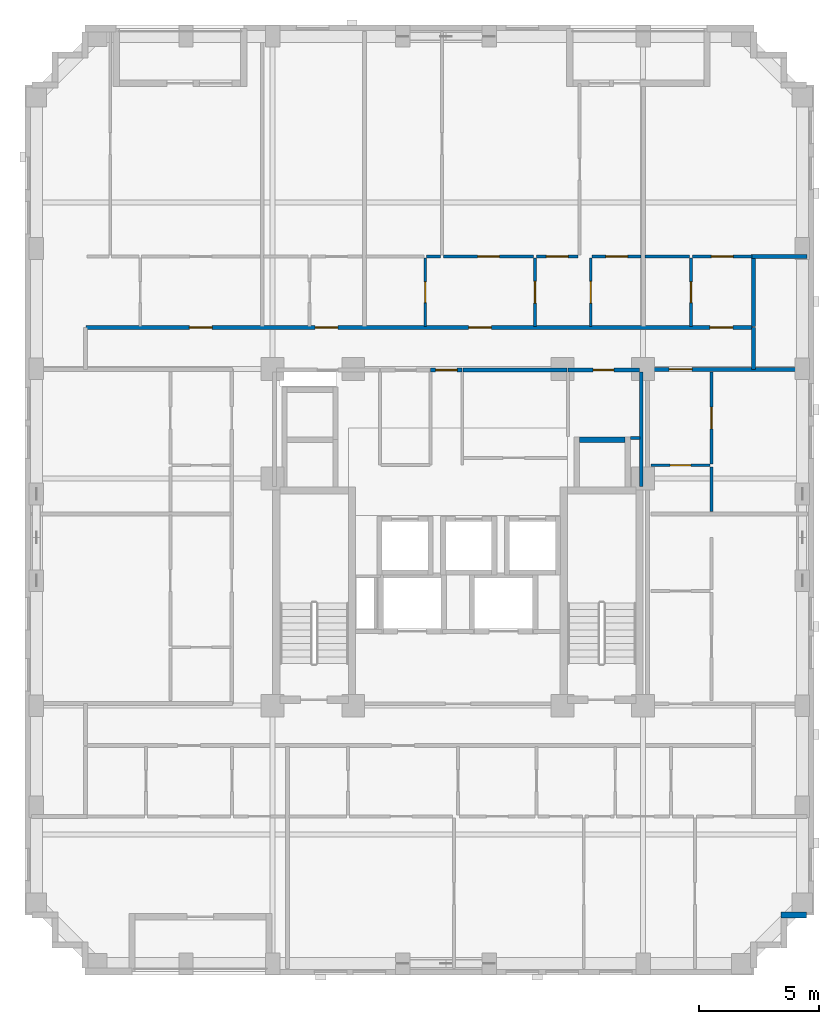
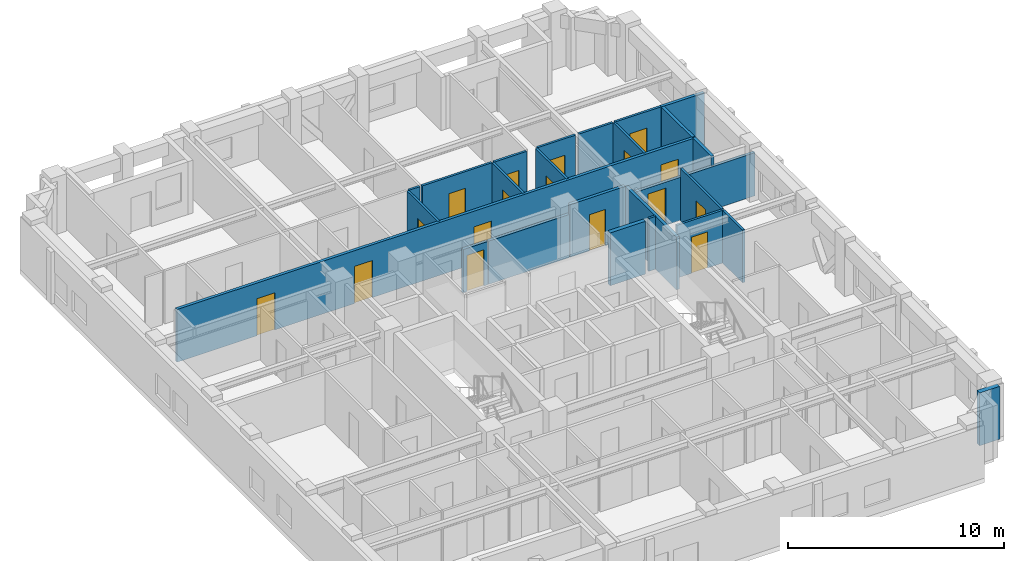
# One storey, part 6 of 11: 25 walls, 17 doors, 17 openings.
"""IFC4 building model written with IfcOpenShell, lengths in metres."""

from ifc_helpers import new_model, si_unit, derived_unit, direction, frame, frame_2d, origin, place, context, subcontext, project, spatial, rectangle, extrude, material, layer, layer_set, type_object, element, fill, save


model = new_model("IFC4")

# Units and contexts
model_context = context("Model", 3, precision=1e-05, world=origin(), true_north=direction((0.0, 1.0)))
body_context = subcontext(model_context, "Body", "Model", "MODEL_VIEW")
ifc_project = project(units=[si_unit("LENGTHUNIT", "METRE"), si_unit("AREAUNIT", "SQUARE_METRE"), si_unit("VOLUMEUNIT", "CUBIC_METRE"), si_unit("PLANEANGLEUNIT", "RADIAN"), si_unit("MASSUNIT", "GRAM", prefix="KILO"), derived_unit("THERMALTRANSMITTANCEUNIT", [(si_unit("MASSUNIT", "GRAM", prefix="KILO"), 1), (si_unit("TIMEUNIT", "SECOND"), -3), (si_unit("THERMODYNAMICTEMPERATUREUNIT", "KELVIN"), -1)])], contexts=[model_context])

# Site, building, storey
site_placement = place(None, origin())
site = spatial("IfcSite", under=ifc_project, at=site_placement, CompositionType="ELEMENT")
building_placement = place(site_placement, origin())
building = spatial("IfcBuilding", under=site, at=building_placement, Name="Korrvale Station Residences", CompositionType="ELEMENT")
storey_placement = place(building_placement, frame((0.0, 0.0, 163.39990234375)))
storey = spatial("IfcBuildingStorey", under=building, at=storey_placement, Name="L47", CompositionType="ELEMENT", Elevation=163.39990234375)

# Walls
ifc_material_1 = material(Name="Precast concrete C45/55", Category="concrete")
ifc_layer_1 = layer(ifc_material_1, 0.260009765625, Name="Precast concrete C45/55")
ifc_layer_set_1 = layer_set([ifc_layer_1], Name="Precast concrete C45/55")
wall_type_1 = type_object("IfcWallType", Name="WAL-EXT-LOG260", PredefinedType="SOLIDWALL", material=ifc_layer_set_1)
wall_1_placement = place(storey_placement, frame((39.998046875, 6.300048828125, 0.0), z_axis=(0.0, 0.0, 1.0), x_axis=(-1.0, 0.0, 0.0)))
element("IfcWall", 1, at=wall_1_placement, inside=storey, type_object=wall_type_1, Name="L47 Serrated Corner Precast Step SE-1", PredefinedType="SOLIDWALL", context=body_context, shape_type="SweptSolid", body=[
    extrude(rectangle(XDim=1.078125, YDim=0.260009765625, at=frame_2d((0.5390625, 0.0))), origin(), (0.0, 0.0, 1.0), 2.989990234375),
])
ifc_material_2 = material(Name="Acoustic steel-stud gypsum board partition", Category="steel")
ifc_layer_2 = layer(ifc_material_2, 0.1201171875, Name="Acoustic steel-stud gypsum board partition")
ifc_layer_set_2 = layer_set([ifc_layer_2], Name="Acoustic steel-stud gypsum board partition")
wall_type_2 = type_object("IfcWallType", Name="WAL-PART-125", PredefinedType="PARTITIONING", material=ifc_layer_set_2)
wall_2_placement = place(storey_placement, frame((32.679931640625, 26.1201171875, 0.0), z_axis=(0.0, 0.0, 1.0), x_axis=(1.0, 0.0, 0.0)))
element("IfcWall", 2, at=wall_2_placement, inside=storey, type_object=wall_type_2, Name="L47 Core Partition CW-CS-S", PredefinedType="PARTITIONING", context=body_context, shape_type="SweptSolid", body=[
    extrude(rectangle(XDim=0.380126953125, YDim=0.1201171875, at=frame_2d((0.18994140625, 0.0))), origin(), (0.0, 0.0, 1.0), 2.989990234375),
])

# Wall, opening, door
wall_3_placement = place(storey_placement, frame((24.14111328125, 30.760009765625, 0.0), z_axis=(0.0, 0.0, 1.0), x_axis=(0.0, 1.0, 0.0)))
wall_3 = element("IfcWall", 3, at=wall_3_placement, inside=storey, type_object=wall_type_2, Name="L47 Suite Partition U05-V01", PredefinedType="PARTITIONING", context=body_context, shape_type="SweptSolid", body=[
    extrude(rectangle(XDim=2.85009765625, YDim=0.1201171875, at=frame_2d((1.425048828125, 0.0))), origin(), (0.0, 0.0, 1.0), 2.989990234375),
])
opening_1_placement = place(wall_3_placement, frame((0.9951171875, 0.0, 0.0)))
opening_1 = element("IfcOpeningElement", 4, at=opening_1_placement, cuts=wall_3, Name="Opening DB-860", PredefinedType="OPENING", context=body_context, shape_type="SweptSolid", body=[
    extrude(rectangle(XDim=0.860107421875, YDim=2.050048828125, at=frame_2d((0.43017578125, 1.02490234375))), frame((0.0, 0.070068359375, 0.0), z_axis=(0.0, -1.0, 0.0), x_axis=(1.0, 0.0, 0.0)), (0.0, 0.0, 1.0), 0.14013671875),
])
ifc_material_3 = material(Name="Moisture-resistant solid-core bathroom door", Category="timber")
door_type_1 = type_object("IfcDoorType", Name="DR-BATH-860", OperationType="NOTDEFINED", PredefinedType="DOOR", material=ifc_material_3)
door_1_placement = place(opening_1_placement, origin())
door_1 = element("IfcDoor", 5, at=door_1_placement, inside=storey, type_object=door_type_1, Name="L47 Studio Apartment L47-U05 Bathroom Door", OperationType="SINGLE_SWING_LEFT", OverallHeight=2.050048828125, OverallWidth=0.860107421875, PredefinedType="DOOR", context=body_context, shape_type="SweptSolid", body=[
    extrude(rectangle(XDim=0.860107421875, YDim=2.050048828125, at=frame_2d((0.43017578125, 1.02490234375))), frame((0.0, 0.02490234375, 0.0), z_axis=(0.0, -1.0, 0.0), x_axis=(1.0, 0.0, 0.0)), (0.0, 0.0, 1.0), 0.050048828125),
])
fill(opening_1, door_1)

wall_4_placement = place(storey_placement, frame((28.700927734375, 30.760009765625, 0.0), z_axis=(0.0, 0.0, 1.0), x_axis=(0.0, 1.0, 0.0)))
wall_4 = element("IfcWall", 6, at=wall_4_placement, inside=storey, type_object=wall_type_2, Name="L47 Suite Partition U05-V12", PredefinedType="PARTITIONING", context=body_context, shape_type="SweptSolid", body=[
    extrude(rectangle(XDim=2.85009765625, YDim=0.1201171875, at=frame_2d((1.425048828125, 0.0))), origin(), (0.0, 0.0, 1.0), 2.989990234375),
])
opening_2_placement = place(wall_4_placement, frame((0.97509765625, 0.0, 0.0)))
opening_2 = element("IfcOpeningElement", 7, at=opening_2_placement, cuts=wall_4, Name="Opening DI-900", PredefinedType="OPENING", context=body_context, shape_type="SweptSolid", body=[
    extrude(rectangle(XDim=0.89990234375, YDim=2.050048828125, at=frame_2d((0.449951171875, 1.02490234375))), frame((0.0, 0.070068359375, 0.0), z_axis=(0.0, -1.0, 0.0), x_axis=(1.0, 0.0, 0.0)), (0.0, 0.0, 1.0), 0.14013671875),
])
ifc_material_4 = material(Name="Painted solid-core timber interior room door", Category="wood")
door_type_2 = type_object("IfcDoorType", Name="DR-INT-900", OperationType="NOTDEFINED", PredefinedType="DOOR", material=ifc_material_4)
door_2_placement = place(opening_2_placement, origin())
door_2 = element("IfcDoor", 8, at=door_2_placement, inside=storey, type_object=door_type_2, Name="L47 Studio Apartment L47-U05 Kitchen Door", OperationType="SINGLE_SWING_RIGHT", OverallHeight=2.050048828125, OverallWidth=0.89990234375, PredefinedType="DOOR", context=body_context, shape_type="SweptSolid", body=[
    extrude(rectangle(XDim=0.89990234375, YDim=2.050048828125, at=frame_2d((0.449951171875, 1.02490234375))), frame((0.0, 0.02490234375, 0.0), z_axis=(0.0, -1.0, 0.0), x_axis=(1.0, 0.0, 0.0)), (0.0, 0.0, 1.0), 0.050048828125),
])
fill(opening_2, door_2)

# Wall
wall_5_placement = place(storey_placement, frame((24.200927734375, 33.669921875, 0.0), z_axis=(0.0, 0.0, 1.0), x_axis=(1.0, 0.0, 0.0)))
element("IfcWall", 9, at=wall_5_placement, inside=storey, type_object=wall_type_2, Name="L47 Suite Partition U05-H14", PredefinedType="PARTITIONING", context=body_context, shape_type="SweptSolid", body=[
    extrude(rectangle(XDim=0.580078125, YDim=0.1201171875, at=frame_2d((0.2900390625, 0.0))), origin(), (0.0, 0.0, 1.0), 2.989990234375),
])

# Wall, opening, door
wall_6_placement = place(storey_placement, frame((24.90087890625, 33.669921875, 0.0), z_axis=(0.0, 0.0, 1.0), x_axis=(1.0, 0.0, 0.0)))
wall_6 = element("IfcWall", 10, at=wall_6_placement, inside=storey, type_object=wall_type_2, Name="L47 Suite Partition U05-H15", PredefinedType="PARTITIONING", context=body_context, shape_type="SweptSolid", body=[
    extrude(rectangle(XDim=3.740234375, YDim=0.1201171875, at=frame_2d((1.8701171875, 0.0))), origin(), (0.0, 0.0, 1.0), 2.989990234375),
])
opening_3_placement = place(wall_6_placement, frame((1.419921875, 0.0, 0.0)))
opening_3 = element("IfcOpeningElement", 11, at=opening_3_placement, cuts=wall_6, Name="Opening DI-900", PredefinedType="OPENING", context=body_context, shape_type="SweptSolid", body=[
    extrude(rectangle(XDim=0.89990234375, YDim=2.050048828125, at=frame_2d((0.449951171875, 1.02490234375))), frame((0.0, 0.070068359375, 0.0), z_axis=(0.0, -1.0, 0.0), x_axis=(1.0, 0.0, 0.0)), (0.0, 0.0, 1.0), 0.14013671875),
])
door_3_placement = place(opening_3_placement, origin())
door_3 = element("IfcDoor", 12, at=door_3_placement, inside=storey, type_object=door_type_2, Name="L47 Studio Apartment L47-U05 Kitchen Door", OperationType="SINGLE_SWING_LEFT", OverallHeight=2.050048828125, OverallWidth=0.89990234375, PredefinedType="DOOR", context=body_context, shape_type="SweptSolid", body=[
    extrude(rectangle(XDim=0.89990234375, YDim=2.050048828125, at=frame_2d((0.449951171875, 1.02490234375))), frame((0.0, 0.02490234375, 0.0), z_axis=(0.0, -1.0, 0.0), x_axis=(1.0, 0.0, 0.0)), (0.0, 0.0, 1.0), 0.050048828125),
])
fill(opening_3, door_3)

wall_7_placement = place(storey_placement, frame((31.02099609375, 30.760009765625, 0.0), z_axis=(0.0, 0.0, 1.0), x_axis=(0.0, 1.0, 0.0)))
wall_7 = element("IfcWall", 13, at=wall_7_placement, inside=storey, type_object=wall_type_2, Name="L47 Suite Partition U05-V23", PredefinedType="PARTITIONING", context=body_context, shape_type="SweptSolid", body=[
    extrude(rectangle(XDim=2.85009765625, YDim=0.1201171875, at=frame_2d((1.425048828125, 0.0))), origin(), (0.0, 0.0, 1.0), 2.989990234375),
])
opening_4_placement = place(wall_7_placement, frame((0.97509765625, 0.0, 0.0)))
opening_4 = element("IfcOpeningElement", 14, at=opening_4_placement, cuts=wall_7, Name="Opening DI-900", PredefinedType="OPENING", context=body_context, shape_type="SweptSolid", body=[
    extrude(rectangle(XDim=0.89990234375, YDim=2.050048828125, at=frame_2d((0.449951171875, 1.02490234375))), frame((0.0, 0.070068359375, 0.0), z_axis=(0.0, -1.0, 0.0), x_axis=(1.0, 0.0, 0.0)), (0.0, 0.0, 1.0), 0.14013671875),
])
door_4_placement = place(opening_4_placement, origin())
door_4 = element("IfcDoor", 15, at=door_4_placement, inside=storey, type_object=door_type_2, Name="L47 Studio Apartment L47-U05 Wardrobe Storage Room Door", OperationType="SINGLE_SWING_RIGHT", OverallHeight=2.050048828125, OverallWidth=0.89990234375, PredefinedType="DOOR", context=body_context, shape_type="SweptSolid", body=[
    extrude(rectangle(XDim=0.89990234375, YDim=2.050048828125, at=frame_2d((0.449951171875, 1.02490234375))), frame((0.0, 0.02490234375, 0.0), z_axis=(0.0, -1.0, 0.0), x_axis=(1.0, 0.0, 0.0)), (0.0, 0.0, 1.0), 0.050048828125),
])
fill(opening_4, door_4)

wall_8_placement = place(storey_placement, frame((28.760986328125, 33.669921875, 0.0), z_axis=(0.0, 0.0, 1.0), x_axis=(1.0, 0.0, 0.0)))
wall_8 = element("IfcWall", 16, at=wall_8_placement, inside=storey, type_object=wall_type_2, Name="L47 Suite Partition U05-H25", PredefinedType="PARTITIONING", context=body_context, shape_type="SweptSolid", body=[
    extrude(rectangle(XDim=1.739013671875, YDim=0.1201171875, at=frame_2d((0.86962890625, 0.0))), origin(), (0.0, 0.0, 1.0), 2.989990234375),
])
opening_5_placement = place(wall_8_placement, frame((0.419921875, 0.0, 0.0)))
opening_5 = element("IfcOpeningElement", 17, at=opening_5_placement, cuts=wall_8, Name="Opening DI-900", PredefinedType="OPENING", context=body_context, shape_type="SweptSolid", body=[
    extrude(rectangle(XDim=0.89990234375, YDim=2.050048828125, at=frame_2d((0.449951171875, 1.02490234375))), frame((0.0, 0.070068359375, 0.0), z_axis=(0.0, -1.0, 0.0), x_axis=(1.0, 0.0, 0.0)), (0.0, 0.0, 1.0), 0.14013671875),
])
door_5_placement = place(opening_5_placement, origin())
door_5 = element("IfcDoor", 18, at=door_5_placement, inside=storey, type_object=door_type_2, Name="L47 Studio Apartment L47-U05 Wardrobe Storage Room Door", OperationType="SINGLE_SWING_LEFT", OverallHeight=2.050048828125, OverallWidth=0.89990234375, PredefinedType="DOOR", context=body_context, shape_type="SweptSolid", body=[
    extrude(rectangle(XDim=0.89990234375, YDim=2.050048828125, at=frame_2d((0.449951171875, 1.02490234375))), frame((0.0, 0.02490234375, 0.0), z_axis=(0.0, -1.0, 0.0), x_axis=(1.0, 0.0, 0.0)), (0.0, 0.0, 1.0), 0.050048828125),
])
fill(opening_5, door_5)

wall_9_placement = place(storey_placement, frame((31.0810546875, 33.669921875, 0.0), z_axis=(0.0, 0.0, 1.0), x_axis=(1.0, 0.0, 0.0)))
wall_9 = element("IfcWall", 19, at=wall_9_placement, inside=storey, type_object=wall_type_2, Name="L47 Suite Partition U05-H36", PredefinedType="PARTITIONING", context=body_context, shape_type="SweptSolid", body=[
    extrude(rectangle(XDim=2.0390625, YDim=0.1201171875, at=frame_2d((1.01953125, 0.0))), origin(), (0.0, 0.0, 1.0), 2.989990234375),
])
opening_6_placement = place(wall_9_placement, frame((0.569091796875, 0.0, 0.0)))
opening_6 = element("IfcOpeningElement", 20, at=opening_6_placement, cuts=wall_9, Name="Opening DI-900", PredefinedType="OPENING", context=body_context, shape_type="SweptSolid", body=[
    extrude(rectangle(XDim=0.89990234375, YDim=2.050048828125, at=frame_2d((0.449951171875, 1.02490234375))), frame((0.0, 0.070068359375, 0.0), z_axis=(0.0, -1.0, 0.0), x_axis=(1.0, 0.0, 0.0)), (0.0, 0.0, 1.0), 0.14013671875),
])
door_6_placement = place(opening_6_placement, origin())
door_6 = element("IfcDoor", 21, at=door_6_placement, inside=storey, type_object=door_type_2, Name="L47 Studio Apartment L47-U05 Utility and Laundry Room Door", OperationType="SINGLE_SWING_RIGHT", OverallHeight=2.050048828125, OverallWidth=0.89990234375, PredefinedType="DOOR", context=body_context, shape_type="SweptSolid", body=[
    extrude(rectangle(XDim=0.89990234375, YDim=2.050048828125, at=frame_2d((0.449951171875, 1.02490234375))), frame((0.0, 0.02490234375, 0.0), z_axis=(0.0, -1.0, 0.0), x_axis=(1.0, 0.0, 0.0)), (0.0, 0.0, 1.0), 0.050048828125),
])
fill(opening_6, door_6)

wall_10_placement = place(storey_placement, frame((35.18994140625, 30.760009765625, 0.0), z_axis=(0.0, 0.0, 1.0), x_axis=(0.0, 1.0, 0.0)))
wall_10 = element("IfcWall", 22, at=wall_10_placement, inside=storey, type_object=wall_type_2, Name="L47 Suite Partition U06-V01", PredefinedType="PARTITIONING", context=body_context, shape_type="SweptSolid", body=[
    extrude(rectangle(XDim=2.85009765625, YDim=0.1201171875, at=frame_2d((1.425048828125, 0.0))), origin(), (0.0, 0.0, 1.0), 2.989990234375),
])
opening_7_placement = place(wall_10_placement, frame((0.9951171875, 0.0, 0.0)))
opening_7 = element("IfcOpeningElement", 23, at=opening_7_placement, cuts=wall_10, Name="Opening DB-860", PredefinedType="OPENING", context=body_context, shape_type="SweptSolid", body=[
    extrude(rectangle(XDim=0.860107421875, YDim=2.050048828125, at=frame_2d((0.43017578125, 1.02490234375))), frame((0.0, 0.070068359375, 0.0), z_axis=(0.0, -1.0, 0.0), x_axis=(1.0, 0.0, 0.0)), (0.0, 0.0, 1.0), 0.14013671875),
])
door_7_placement = place(opening_7_placement, origin())
door_7 = element("IfcDoor", 24, at=door_7_placement, inside=storey, type_object=door_type_1, Name="L47 Studio Apartment L47-U06 Bathroom Door", OperationType="SINGLE_SWING_LEFT", OverallHeight=2.050048828125, OverallWidth=0.860107421875, PredefinedType="DOOR", context=body_context, shape_type="SweptSolid", body=[
    extrude(rectangle(XDim=0.860107421875, YDim=2.050048828125, at=frame_2d((0.43017578125, 1.02490234375))), frame((0.0, 0.02490234375, 0.0), z_axis=(0.0, -1.0, 0.0), x_axis=(1.0, 0.0, 0.0)), (0.0, 0.0, 1.0), 0.050048828125),
])
fill(opening_7, door_7)

# Wall
wall_11_placement = place(storey_placement, frame((33.280029296875, 33.669921875, 0.0), z_axis=(0.0, 0.0, 1.0), x_axis=(1.0, 0.0, 0.0)))
element("IfcWall", 25, at=wall_11_placement, inside=storey, type_object=wall_type_2, Name="L47 Suite Partition U06-H02", PredefinedType="PARTITIONING", context=body_context, shape_type="SweptSolid", body=[
    extrude(rectangle(XDim=1.849853515625, YDim=0.1201171875, at=frame_2d((0.9248046875, 0.0))), origin(), (0.0, 0.0, 1.0), 2.989990234375),
])

# Wall, opening, door
wall_12_placement = place(storey_placement, frame((35.25, 33.669921875, 0.0), z_axis=(0.0, 0.0, 1.0), x_axis=(1.0, 0.0, 0.0)))
wall_12 = element("IfcWall", 26, at=wall_12_placement, inside=storey, type_object=wall_type_2, Name="L47 Suite Partition U06-H12", PredefinedType="PARTITIONING", context=body_context, shape_type="SweptSolid", body=[
    extrude(rectangle(XDim=2.469970703125, YDim=0.1201171875, at=frame_2d((1.23486328125, 0.0))), origin(), (0.0, 0.0, 1.0), 2.989990234375),
])
opening_8_placement = place(wall_12_placement, frame((0.784912109375, 0.0, 0.0)))
opening_8 = element("IfcOpeningElement", 27, at=opening_8_placement, cuts=wall_12, Name="Opening DI-900", PredefinedType="OPENING", context=body_context, shape_type="SweptSolid", body=[
    extrude(rectangle(XDim=0.89990234375, YDim=2.050048828125, at=frame_2d((0.449951171875, 1.02490234375))), frame((0.0, 0.070068359375, 0.0), z_axis=(0.0, -1.0, 0.0), x_axis=(1.0, 0.0, 0.0)), (0.0, 0.0, 1.0), 0.14013671875),
])
door_8_placement = place(opening_8_placement, origin())
door_8 = element("IfcDoor", 28, at=door_8_placement, inside=storey, type_object=door_type_2, Name="L47 Studio Apartment L47-U06 Kitchen Door", OperationType="SINGLE_SWING_RIGHT", OverallHeight=2.050048828125, OverallWidth=0.89990234375, PredefinedType="DOOR", context=body_context, shape_type="SweptSolid", body=[
    extrude(rectangle(XDim=0.89990234375, YDim=2.050048828125, at=frame_2d((0.449951171875, 1.02490234375))), frame((0.0, 0.02490234375, 0.0), z_axis=(0.0, -1.0, 0.0), x_axis=(1.0, 0.0, 0.0)), (0.0, 0.0, 1.0), 0.050048828125),
])
fill(opening_8, door_8)

wall_13_placement = place(storey_placement, frame((33.530029296875, 24.991943359375, 0.0), z_axis=(0.0, 0.0, 1.0), x_axis=(1.0, 0.0, 0.0)))
wall_13 = element("IfcWall", 29, at=wall_13_placement, inside=storey, type_object=wall_type_2, Name="L47 Suite Partition U10-H01", PredefinedType="PARTITIONING", context=body_context, shape_type="SweptSolid", body=[
    extrude(rectangle(XDim=2.449951171875, YDim=0.1201171875, at=frame_2d((1.22509765625, 0.0))), origin(), (0.0, 0.0, 1.0), 2.989990234375),
])
opening_9_placement = place(wall_13_placement, frame((0.794921875, 0.0, 0.0)))
opening_9 = element("IfcOpeningElement", 30, at=opening_9_placement, cuts=wall_13, Name="Opening DB-860", PredefinedType="OPENING", context=body_context, shape_type="SweptSolid", body=[
    extrude(rectangle(XDim=0.860107421875, YDim=2.050048828125, at=frame_2d((0.43017578125, 1.02490234375))), frame((0.0, 0.070068359375, 0.0), z_axis=(0.0, -1.0, 0.0), x_axis=(1.0, 0.0, 0.0)), (0.0, 0.0, 1.0), 0.14013671875),
])
door_9_placement = place(opening_9_placement, origin())
door_9 = element("IfcDoor", 31, at=door_9_placement, inside=storey, type_object=door_type_1, Name="L47 Apartment 1BR L47-U10 Bathroom Door", OperationType="SINGLE_SWING_LEFT", OverallHeight=2.050048828125, OverallWidth=0.860107421875, PredefinedType="DOOR", context=body_context, shape_type="SweptSolid", body=[
    extrude(rectangle(XDim=0.860107421875, YDim=2.050048828125, at=frame_2d((0.43017578125, 1.02490234375))), frame((0.0, 0.02490234375, 0.0), z_axis=(0.0, -1.0, 0.0), x_axis=(1.0, 0.0, 0.0)), (0.0, 0.0, 1.0), 0.050048828125),
])
fill(opening_9, door_9)

# Wall
wall_14_placement = place(storey_placement, frame((36.0400390625, 23.08203125, 0.0), z_axis=(0.0, 0.0, 1.0), x_axis=(0.0, 1.0, 0.0)))
element("IfcWall", 32, at=wall_14_placement, inside=storey, type_object=wall_type_2, Name="L47 Suite Partition U10-V02", PredefinedType="PARTITIONING", context=body_context, shape_type="SweptSolid", body=[
    extrude(rectangle(XDim=1.849853515625, YDim=0.1201171875, at=frame_2d((0.9248046875, 0.0))), origin(), (0.0, 0.0, 1.0), 2.989990234375),
])

# Wall, opening, door
wall_15_placement = place(storey_placement, frame((36.0400390625, 25.052001953125, 0.0), z_axis=(0.0, 0.0, 1.0), x_axis=(0.0, 1.0, 0.0)))
wall_15 = element("IfcWall", 33, at=wall_15_placement, inside=storey, type_object=wall_type_2, Name="L47 Suite Partition U10-V12", PredefinedType="PARTITIONING", context=body_context, shape_type="SweptSolid", body=[
    extrude(rectangle(XDim=3.80810546875, YDim=0.1201171875, at=frame_2d((1.904052734375, 0.0))), origin(), (0.0, 0.0, 1.0), 2.989990234375),
])
opening_10_placement = place(wall_15_placement, frame((1.4541015625, 0.0, 0.0)))
opening_10 = element("IfcOpeningElement", 34, at=opening_10_placement, cuts=wall_15, Name="Opening DI-900", PredefinedType="OPENING", context=body_context, shape_type="SweptSolid", body=[
    extrude(rectangle(XDim=0.89990234375, YDim=2.050048828125, at=frame_2d((0.449951171875, 1.02490234375))), frame((0.0, 0.070068359375, 0.0), z_axis=(0.0, -1.0, 0.0), x_axis=(1.0, 0.0, 0.0)), (0.0, 0.0, 1.0), 0.14013671875),
])
door_10_placement = place(opening_10_placement, origin())
door_10 = element("IfcDoor", 35, at=door_10_placement, inside=storey, type_object=door_type_2, Name="L47 Apartment 1BR L47-U10 Kitchen Door", OperationType="SINGLE_SWING_RIGHT", OverallHeight=2.050048828125, OverallWidth=0.89990234375, PredefinedType="DOOR", context=body_context, shape_type="SweptSolid", body=[
    extrude(rectangle(XDim=0.89990234375, YDim=2.050048828125, at=frame_2d((0.449951171875, 1.02490234375))), frame((0.0, 0.02490234375, 0.0), z_axis=(0.0, -1.0, 0.0), x_axis=(1.0, 0.0, 0.0)), (0.0, 0.0, 1.0), 0.050048828125),
])
fill(opening_10, door_10)

# Wall
ifc_material_5 = material(Name="Fire-rated twin-stud gypsum and mineral wool shaftwall assembly", Category="gypsum")
ifc_layer_3 = layer(ifc_material_5, 0.159912109375, Name="Fire-rated twin-stud gypsum and mineral wool shaftwall assembly")
ifc_layer_set_3 = layer_set([ifc_layer_3], Name="Fire-rated twin-stud gypsum and mineral wool shaftwall assembly")
wall_type_3 = type_object("IfcWallType", Name="WAL-PART-200", PredefinedType="PARTITIONING", material=ifc_layer_set_3)
wall_16_placement = place(storey_placement, frame((33.1201171875, 24.1201171875, 0.0), z_axis=(0.0, 0.0, 1.0), x_axis=(0.0, 1.0, 0.0)))
element("IfcWall", 36, at=wall_16_placement, inside=storey, type_object=wall_type_3, Name="L47 Core Partition CW-E-N", PredefinedType="PARTITIONING", context=body_context, shape_type="SweptSolid", body=[
    extrude(rectangle(XDim=4.759765625, YDim=0.159912109375, at=frame_2d((2.3798828125, 0.0))), origin(), (0.0, 0.0, 1.0), 2.989990234375),
])

# Wall, opening, door
wall_17_placement = place(storey_placement, frame((24.360107421875, 28.949951171875, 0.0), z_axis=(0.0, 0.0, 1.0), x_axis=(1.0, 0.0, 0.0)))
wall_17 = element("IfcWall", 37, at=wall_17_placement, inside=storey, type_object=wall_type_3, Name="L47 Core Partition CW-LLOB-N", PredefinedType="PARTITIONING", context=body_context, shape_type="SweptSolid", body=[
    extrude(rectangle(XDim=1.31982421875, YDim=0.159912109375, at=frame_2d((0.659912109375, 0.0))), origin(), (0.0, 0.0, 1.0), 2.442138671875),
])
opening_11_placement = place(wall_17_placement, frame((0.2099609375, 0.0, 0.0)))
opening_11 = element("IfcOpeningElement", 38, at=opening_11_placement, cuts=wall_17, Name="Opening DI-900", PredefinedType="OPENING", context=body_context, shape_type="SweptSolid", body=[
    extrude(rectangle(XDim=0.89990234375, YDim=2.050048828125, at=frame_2d((0.449951171875, 1.02490234375))), frame((0.0, 0.08984375, 0.0), z_axis=(0.0, -1.0, 0.0), x_axis=(1.0, 0.0, 0.0)), (0.0, 0.0, 1.0), 0.179931640625),
])
door_11_placement = place(opening_11_placement, origin())
door_11 = element("IfcDoor", 39, at=door_11_placement, inside=storey, type_object=door_type_2, Name="L47 Central Hallway North Passage Door", OperationType="SINGLE_SWING_LEFT", OverallHeight=2.050048828125, OverallWidth=0.89990234375, PredefinedType="DOOR", context=body_context, shape_type="SweptSolid", body=[
    extrude(rectangle(XDim=0.89990234375, YDim=2.050048828125, at=frame_2d((0.449951171875, 1.02490234375))), frame((0.0, 0.02490234375, 0.0), z_axis=(0.0, -1.0, 0.0), x_axis=(1.0, 0.0, 0.0)), (0.0, 0.0, 1.0), 0.050048828125),
])
fill(opening_11, door_11)

wall_18_placement = place(storey_placement, frame((30.080078125, 28.949951171875, 0.0), z_axis=(0.0, 0.0, 1.0), x_axis=(1.0, 0.0, 0.0)))
wall_18 = element("IfcWall", 40, at=wall_18_placement, inside=storey, type_object=wall_type_3, Name="L47 Core Partition CW-CS-N", PredefinedType="PARTITIONING", context=body_context, shape_type="SweptSolid", body=[
    extrude(rectangle(XDim=2.9599609375, YDim=0.159912109375, at=frame_2d((1.47998046875, 0.0))), origin(), (0.0, 0.0, 1.0), 2.989990234375),
])
opening_12_placement = place(wall_18_placement, frame((1.044921875, 0.0, 0.0)))
opening_12 = element("IfcOpeningElement", 41, at=opening_12_placement, cuts=wall_18, Name="Opening DB-860", PredefinedType="OPENING", context=body_context, shape_type="SweptSolid", body=[
    extrude(rectangle(XDim=0.860107421875, YDim=2.050048828125, at=frame_2d((0.43017578125, 1.02490234375))), frame((0.0, 0.08984375, 0.0), z_axis=(0.0, -1.0, 0.0), x_axis=(1.0, 0.0, 0.0)), (0.0, 0.0, 1.0), 0.179931640625),
])
door_12_placement = place(opening_12_placement, origin())
door_12 = element("IfcDoor", 42, at=door_12_placement, inside=storey, type_object=door_type_1, Name="L47 Parcel Room Door", OperationType="SINGLE_SWING_LEFT", OverallHeight=2.050048828125, OverallWidth=0.860107421875, PredefinedType="DOOR", context=body_context, shape_type="SweptSolid", body=[
    extrude(rectangle(XDim=0.860107421875, YDim=2.050048828125, at=frame_2d((0.43017578125, 1.02490234375))), frame((0.0, 0.02490234375, 0.0), z_axis=(0.0, -1.0, 0.0), x_axis=(1.0, 0.0, 0.0)), (0.0, 0.0, 1.0), 0.050048828125),
])
fill(opening_12, door_12)

# Walls
wall_19_placement = place(storey_placement, frame((25.719970703125, 28.949951171875, 0.0), z_axis=(0.0, 0.0, 1.0), x_axis=(1.0, 0.0, 0.0)))
element("IfcWall", 43, at=wall_19_placement, inside=storey, type_object=wall_type_3, Name="L47 Core Partition CW-FPLE-N", PredefinedType="PARTITIONING", context=body_context, shape_type="SweptSolid", body=[
    extrude(rectangle(XDim=4.320068359375, YDim=0.159912109375, at=frame_2d((2.16015625, 0.0))), origin(), (0.0, 0.0, 1.0), 2.442138671875),
])
wall_20_placement = place(storey_placement, frame((37.780029296875, 28.97998046875, 0.0), z_axis=(0.0, 0.0, 1.0), x_axis=(0.0, 1.0, 0.0)))
element("IfcWall", 44, at=wall_20_placement, inside=storey, type_object=wall_type_3, Name="L47 Corridor North East Cap", PredefinedType="PARTITIONING", context=body_context, shape_type="SweptSolid", body=[
    extrude(rectangle(XDim=1.739990234375, YDim=0.159912109375, at=frame_2d((0.8701171875, 0.0))), origin(), (0.0, 0.0, 1.0), 2.989990234375),
])
wall_21_placement = place(storey_placement, frame((37.679931640625, 33.669921875, 0.0), z_axis=(0.0, 0.0, 1.0), x_axis=(1.0, 0.0, 0.0)))
element("IfcWall", 45, at=wall_21_placement, inside=storey, type_object=wall_type_3, Name="L47 Corner Step Wall U06-R", PredefinedType="PARTITIONING", context=body_context, shape_type="SweptSolid", body=[
    extrude(rectangle(XDim=2.340087890625, YDim=0.159912109375, at=frame_2d((1.169921875, 0.0))), origin(), (0.0, 0.0, 1.0), 2.989990234375),
])
wall_22_placement = place(storey_placement, frame((37.780029296875, 30.760009765625, 0.0), z_axis=(0.0, 0.0, 1.0), x_axis=(0.0, 1.0, 0.0)))
element("IfcWall", 46, at=wall_22_placement, inside=storey, type_object=wall_type_3, Name="L47 Corner Step Cheek U06-R", PredefinedType="PARTITIONING", context=body_context, shape_type="SweptSolid", body=[
    extrude(rectangle(XDim=2.909912109375, YDim=0.159912109375, at=frame_2d((1.455078125, 0.0))), origin(), (0.0, 0.0, 1.0), 2.989990234375),
])

# Wall, opening, door
wall_23_placement = place(storey_placement, frame((33.3798828125, 28.97998046875, 0.0), z_axis=(0.0, 0.0, 1.0), x_axis=(1.0, 0.0, 0.0)))
wall_23 = element("IfcWall", 47, at=wall_23_placement, inside=storey, type_object=wall_type_3, Name="L47 Side Suite North Entry Wall U10", PredefinedType="PARTITIONING", context=body_context, shape_type="SweptSolid", body=[
    extrude(rectangle(XDim=6.64013671875, YDim=0.159912109375, at=frame_2d((3.320068359375, 0.0))), origin(), (0.0, 0.0, 1.0), 2.442138671875),
])
opening_13_placement = place(wall_23_placement, frame((0.89990234375, 0.0, 0.0)))
opening_13 = element("IfcOpeningElement", 48, at=opening_13_placement, cuts=wall_23, Name="Opening UD-950", PredefinedType="OPENING", context=body_context, shape_type="SweptSolid", body=[
    extrude(rectangle(XDim=0.949951171875, YDim=2.10009765625, at=frame_2d((0.47509765625, 1.050048828125))), frame((0.0, 0.08984375, 0.0), z_axis=(0.0, -1.0, 0.0), x_axis=(1.0, 0.0, 0.0)), (0.0, 0.0, 1.0), 0.179931640625),
])
ifc_material_6 = material(Name="Solid-core acoustic oak apartment entrance door", Category="timber")
door_type_3 = type_object("IfcDoorType", Name="DR-UNIT-950", OperationType="NOTDEFINED", PredefinedType="DOOR", material=ifc_material_6)
door_13_placement = place(opening_13_placement, origin())
door_13 = element("IfcDoor", 49, at=door_13_placement, inside=storey, type_object=door_type_3, Name="L47 Apartment L47-U10 Entrance Door", OperationType="SINGLE_SWING_RIGHT", OverallHeight=2.10009765625, OverallWidth=0.949951171875, PredefinedType="DOOR", context=body_context, shape_type="SweptSolid", body=[
    extrude(rectangle(XDim=0.949951171875, YDim=2.10009765625, at=frame_2d((0.47509765625, 1.050048828125))), frame((0.0, 0.02490234375, 0.0), z_axis=(0.0, -1.0, 0.0), x_axis=(1.0, 0.0, 0.0)), (0.0, 0.0, 1.0), 0.050048828125),
])
fill(opening_13, door_13)

# Wall, openings, doors
wall_24_placement = place(storey_placement, frame((10.050048828125, 30.719970703125, 0.0), z_axis=(0.0, 0.0, 1.0), x_axis=(1.0, 0.0, 0.0)))
wall_24 = element("IfcWall", 50, at=wall_24_placement, inside=storey, type_object=wall_type_3, Name="L47 Rated Corridor Wall N", PredefinedType="PARTITIONING", context=body_context, shape_type="SweptSolid", body=[
    extrude(rectangle(XDim=27.699951171875, YDim=0.159912109375, at=frame_2d((13.85009765625, 0.0))), origin(), (0.0, 0.0, 1.0), 2.989990234375),
])
opening_14_placement = place(wall_24_placement, frame((4.2880859375, 0.0, 0.0)))
opening_14 = element("IfcOpeningElement", 51, at=opening_14_placement, cuts=wall_24, Name="Opening UD-950", PredefinedType="OPENING", context=body_context, shape_type="SweptSolid", body=[
    extrude(rectangle(XDim=0.949951171875, YDim=2.10009765625, at=frame_2d((0.47509765625, 1.050048828125))), frame((0.0, 0.08984375, 0.0), z_axis=(0.0, -1.0, 0.0), x_axis=(1.0, 0.0, 0.0)), (0.0, 0.0, 1.0), 0.179931640625),
])
opening_15_placement = place(wall_24_placement, frame((9.514892578125, 0.0, 0.0)))
opening_15 = element("IfcOpeningElement", 52, at=opening_15_placement, cuts=wall_24, Name="Opening UD-950", PredefinedType="OPENING", context=body_context, shape_type="SweptSolid", body=[
    extrude(rectangle(XDim=0.949951171875, YDim=2.10009765625, at=frame_2d((0.47509765625, 1.050048828125))), frame((0.0, 0.08984375, 0.0), z_axis=(0.0, -1.0, 0.0), x_axis=(1.0, 0.0, 0.0)), (0.0, 0.0, 1.0), 0.179931640625),
])
opening_16_placement = place(wall_24_placement, frame((15.89599609375, 0.0, 0.0)))
opening_16 = element("IfcOpeningElement", 53, at=opening_16_placement, cuts=wall_24, Name="Opening UD-950", PredefinedType="OPENING", context=body_context, shape_type="SweptSolid", body=[
    extrude(rectangle(XDim=0.949951171875, YDim=2.10009765625, at=frame_2d((0.47509765625, 1.050048828125))), frame((0.0, 0.08984375, 0.0), z_axis=(0.0, -1.0, 0.0), x_axis=(1.0, 0.0, 0.0)), (0.0, 0.0, 1.0), 0.179931640625),
])
opening_17_placement = place(wall_24_placement, frame((25.925048828125, 0.0, 0.0)))
opening_17 = element("IfcOpeningElement", 54, at=opening_17_placement, cuts=wall_24, Name="Opening UD-950", PredefinedType="OPENING", context=body_context, shape_type="SweptSolid", body=[
    extrude(rectangle(XDim=0.949951171875, YDim=2.10009765625, at=frame_2d((0.47509765625, 1.050048828125))), frame((0.0, 0.08984375, 0.0), z_axis=(0.0, -1.0, 0.0), x_axis=(1.0, 0.0, 0.0)), (0.0, 0.0, 1.0), 0.179931640625),
])
door_14_placement = place(opening_14_placement, origin())
door_14 = element("IfcDoor", 55, at=door_14_placement, inside=storey, type_object=door_type_3, Name="L47 Apartment L47-U03 Entrance Door", OperationType="SINGLE_SWING_LEFT", OverallHeight=2.10009765625, OverallWidth=0.949951171875, PredefinedType="DOOR", context=body_context, shape_type="SweptSolid", body=[
    extrude(rectangle(XDim=0.949951171875, YDim=2.10009765625, at=frame_2d((0.47509765625, 1.050048828125))), frame((0.0, 0.02490234375, 0.0), z_axis=(0.0, -1.0, 0.0), x_axis=(1.0, 0.0, 0.0)), (0.0, 0.0, 1.0), 0.050048828125),
])
fill(opening_14, door_14)
door_15_placement = place(opening_15_placement, origin())
door_15 = element("IfcDoor", 56, at=door_15_placement, inside=storey, type_object=door_type_3, Name="L47 Apartment L47-U04 Entrance Door", OperationType="SINGLE_SWING_RIGHT", OverallHeight=2.10009765625, OverallWidth=0.949951171875, PredefinedType="DOOR", context=body_context, shape_type="SweptSolid", body=[
    extrude(rectangle(XDim=0.949951171875, YDim=2.10009765625, at=frame_2d((0.47509765625, 1.050048828125))), frame((0.0, 0.02490234375, 0.0), z_axis=(0.0, -1.0, 0.0), x_axis=(1.0, 0.0, 0.0)), (0.0, 0.0, 1.0), 0.050048828125),
])
fill(opening_15, door_15)
door_16_placement = place(opening_16_placement, origin())
door_16 = element("IfcDoor", 57, at=door_16_placement, inside=storey, type_object=door_type_3, Name="L47 Apartment L47-U05 Entrance Door", OperationType="SINGLE_SWING_LEFT", OverallHeight=2.10009765625, OverallWidth=0.949951171875, PredefinedType="DOOR", context=body_context, shape_type="SweptSolid", body=[
    extrude(rectangle(XDim=0.949951171875, YDim=2.10009765625, at=frame_2d((0.47509765625, 1.050048828125))), frame((0.0, 0.02490234375, 0.0), z_axis=(0.0, -1.0, 0.0), x_axis=(1.0, 0.0, 0.0)), (0.0, 0.0, 1.0), 0.050048828125),
])
fill(opening_16, door_16)
door_17_placement = place(opening_17_placement, origin())
door_17 = element("IfcDoor", 58, at=door_17_placement, inside=storey, type_object=door_type_3, Name="L47 Apartment L47-U06 Entrance Door", OperationType="SINGLE_SWING_RIGHT", OverallHeight=2.10009765625, OverallWidth=0.949951171875, PredefinedType="DOOR", context=body_context, shape_type="SweptSolid", body=[
    extrude(rectangle(XDim=0.949951171875, YDim=2.10009765625, at=frame_2d((0.47509765625, 1.050048828125))), frame((0.0, 0.02490234375, 0.0), z_axis=(0.0, -1.0, 0.0), x_axis=(1.0, 0.0, 0.0)), (0.0, 0.0, 1.0), 0.050048828125),
])
fill(opening_17, door_17)

# Wall
ifc_material_7 = material(Name="Concrete C60/75", Category="concrete")
ifc_layer_4 = layer(ifc_material_7, 0.219970703125, Name="Concrete C60/75")
ifc_layer_set_4 = layer_set([ifc_layer_4], Name="Concrete C60/75")
wall_type_4 = type_object("IfcWallType", Name="WAL-SHAFT-220-C60", PredefinedType="SHEAR", material=ifc_layer_set_4)
wall_25_placement = place(storey_placement, frame((30.550048828125, 26.06005859375, 0.0), z_axis=(0.0, 0.0, 1.0), x_axis=(1.0, 0.0, 0.0)))
element("IfcWall", 59, at=wall_25_placement, inside=storey, type_object=wall_type_4, Name="L47 Elevator PH-3 Hoistway Wall North", PredefinedType="SHEAR", context=body_context, shape_type="SweptSolid", body=[
    extrude(rectangle(XDim=1.89990234375, YDim=0.219970703125, at=frame_2d((0.949951171875, 0.0))), origin(), (0.0, 0.0, 1.0), 2.989990234375),
])

save(model, "model.ifc")
